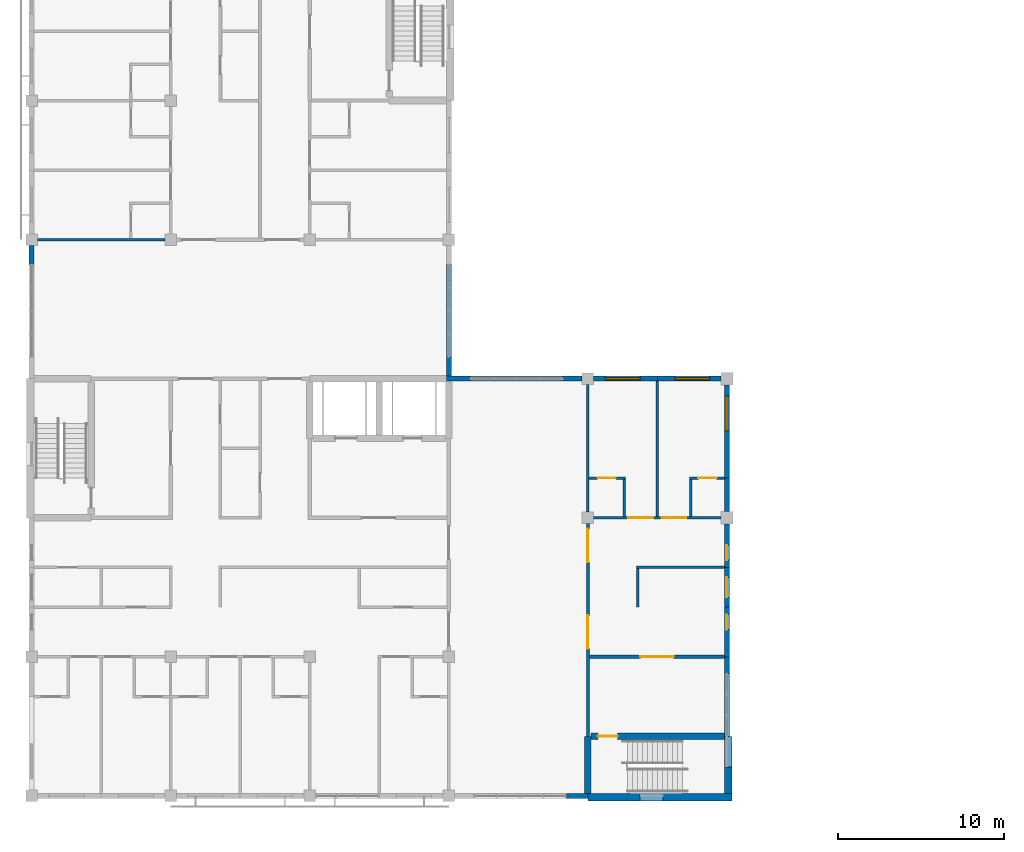
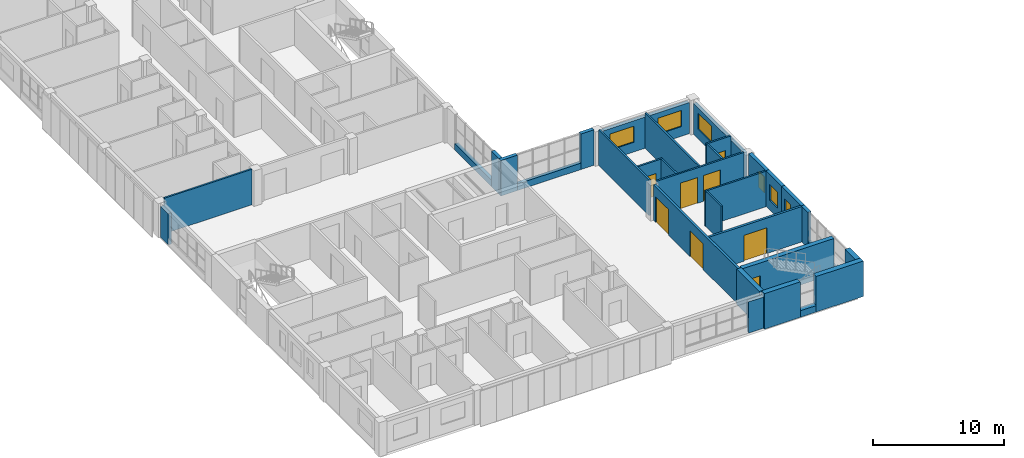
# One storey, part 28 of 48: 35 walls, 8 doors, 6 windows, 14 openings.
"""IFC4 building model written with IfcOpenShell, lengths in metres."""

from ifc_helpers import new_model, si_unit, direction, frame, frame_2d, origin, place, context, subcontext, project, spatial, rectangle, extrude, material, layer, layer_set, type_object, element, fill, save


model = new_model("IFC4")

# Units and contexts
model_context = context("Model", 3, precision=1e-05, world=origin(), true_north=direction((0.0, 1.0)))
body_context = subcontext(model_context, "Body", "Model", "MODEL_VIEW")
ifc_project = project(units=[si_unit("LENGTHUNIT", "METRE"), si_unit("AREAUNIT", "SQUARE_METRE"), si_unit("VOLUMEUNIT", "CUBIC_METRE"), si_unit("PLANEANGLEUNIT", "RADIAN"), si_unit("MASSUNIT", "GRAM", prefix="KILO")], contexts=[model_context])

# Site, building, storey
site_placement = place(None, origin())
site = spatial("IfcSite", under=ifc_project, at=site_placement, CompositionType="ELEMENT")
building_placement = place(site_placement, origin())
building = spatial("IfcBuilding", under=site, at=building_placement, Name="Yavir Park General Hospital", CompositionType="ELEMENT")
storey_placement = place(building_placement, frame((0.0, 0.0, 26.10009765625)))
storey = spatial("IfcBuildingStorey", under=building, at=storey_placement, Name="L06", CompositionType="ELEMENT", Elevation=26.10009765625)

# Wall, opening, door
ifc_material_1 = material(Name="Double gypsum board fire partition on steel studs", Category="steel")
ifc_layer_1 = layer(ifc_material_1, 0.199951171875)
ifc_layer_set_1 = layer_set([ifc_layer_1], Name="Double gypsum board fire partition on steel studs")
wall_type_1 = type_object("IfcWallType", Name="Fire-rated partition 200, EI 60", PredefinedType="PARTITIONING", material=ifc_layer_set_1)
wall_1_placement = place(storey_placement, frame((33.699951171875, 8.39990234375, 0.0), z_axis=(0.0, 0.0, 1.0), x_axis=(1.0, 0.0, 0.0)))
wall_1 = element("IfcWall", 1, at=wall_1_placement, inside=storey, type_object=wall_type_1, Name="FP20 L06-017", PredefinedType="PARTITIONING", context=body_context, shape_type="SweptSolid", body=[
    extrude(rectangle(XDim=8.150146484375, YDim=0.199951171875, at=frame_2d((4.0751953125, 0.0))), origin(), (0.0, 0.0, 1.0), 3.2998046875),
])
opening_1_placement = place(wall_1_placement, frame((3.074951171875, 0.0, 0.0)))
opening_1 = element("IfcOpeningElement", 2, at=opening_1_placement, cuts=wall_1, Name="Opening L06.D024", PredefinedType="OPENING", context=body_context, shape_type="SweptSolid", body=[
    extrude(rectangle(XDim=2.0, YDim=2.39990234375, at=frame_2d((1.0, 1.199951171875))), frame((0.0, 0.10986328125, 0.0), z_axis=(0.0, -1.0, 0.0), x_axis=(1.0, 0.0, 0.0)), (0.0, 0.0, 1.0), 0.219970703125),
])
ifc_material_2 = material(Name="Steel frame, fire-resisting leaves with vision panels", Category="steel")
door_type_1 = type_object("IfcDoorType", Name="Double fire door with vision panels 2000 x 2400, EI 60", OperationType="DOUBLE_DOOR_SINGLE_SWING", PredefinedType="DOOR", material=ifc_material_2)
door_1_placement = place(opening_1_placement, origin())
door_1 = element("IfcDoor", 3, at=door_1_placement, inside=storey, type_object=door_type_1, Name="L06.D024", OperationType="SINGLE_SWING_RIGHT", OverallHeight=2.39990234375, OverallWidth=2.0, PredefinedType="DOOR", context=body_context, shape_type="SweptSolid", body=[
    extrude(rectangle(XDim=2.0, YDim=2.39990234375, at=frame_2d((1.0, 1.199951171875))), frame((0.0, 0.030029296875, 0.0), z_axis=(0.0, -1.0, 0.0), x_axis=(1.0, 0.0, 0.0)), (0.0, 0.0, 1.0), 0.06005859375),
])
fill(opening_1, door_1)

# Wall, openings, doors
wall_2_placement = place(storey_placement, frame((33.60009765625, 3.60009765625, 0.0), z_axis=(0.0, 0.0, 1.0), x_axis=(0.0, 1.0, 0.0)))
wall_2 = element("IfcWall", 4, at=wall_2_placement, inside=storey, type_object=wall_type_1, Name="FP20 L06-203", PredefinedType="PARTITIONING", context=body_context, shape_type="SweptSolid", body=[
    extrude(rectangle(XDim=12.849853515625, YDim=0.199951171875, at=frame_2d((6.4248046875, 0.0))), origin(), (0.0, 0.0, 1.0), 3.2998046875),
])
opening_2_placement = place(wall_2_placement, frame((5.300048828125, 0.0, 0.0)))
opening_2 = element("IfcOpeningElement", 5, at=opening_2_placement, cuts=wall_2, Name="Opening L06.D138", PredefinedType="OPENING", context=body_context, shape_type="SweptSolid", body=[
    extrude(rectangle(XDim=2.0, YDim=2.39990234375, at=frame_2d((1.0, 1.199951171875))), frame((0.0, 0.10986328125, 0.0), z_axis=(0.0, -1.0, 0.0), x_axis=(1.0, 0.0, 0.0)), (0.0, 0.0, 1.0), 0.219970703125),
])
opening_3_placement = place(wall_2_placement, frame((10.52490234375, 0.0, 0.0)))
opening_3 = element("IfcOpeningElement", 6, at=opening_3_placement, cuts=wall_2, Name="Opening L06.D139", PredefinedType="OPENING", context=body_context, shape_type="SweptSolid", body=[
    extrude(rectangle(XDim=2.0, YDim=2.39990234375, at=frame_2d((1.0, 1.199951171875))), frame((0.0, 0.10986328125, 0.0), z_axis=(0.0, -1.0, 0.0), x_axis=(1.0, 0.0, 0.0)), (0.0, 0.0, 1.0), 0.219970703125),
])
door_2_placement = place(opening_2_placement, origin())
door_2 = element("IfcDoor", 7, at=door_2_placement, inside=storey, type_object=door_type_1, Name="L06.D138", OperationType="SINGLE_SWING_LEFT", OverallHeight=2.39990234375, OverallWidth=2.0, PredefinedType="DOOR", context=body_context, shape_type="SweptSolid", body=[
    extrude(rectangle(XDim=2.0, YDim=2.39990234375, at=frame_2d((1.0, 1.199951171875))), frame((0.0, 0.030029296875, 0.0), z_axis=(0.0, -1.0, 0.0), x_axis=(1.0, 0.0, 0.0)), (0.0, 0.0, 1.0), 0.06005859375),
])
fill(opening_2, door_2)
door_3_placement = place(opening_3_placement, origin())
door_3 = element("IfcDoor", 8, at=door_3_placement, inside=storey, type_object=door_type_1, Name="L06.D139", OperationType="SINGLE_SWING_LEFT", OverallHeight=2.39990234375, OverallWidth=2.0, PredefinedType="DOOR", context=body_context, shape_type="SweptSolid", body=[
    extrude(rectangle(XDim=2.0, YDim=2.39990234375, at=frame_2d((1.0, 1.199951171875))), frame((0.0, 0.030029296875, 0.0), z_axis=(0.0, -1.0, 0.0), x_axis=(1.0, 0.0, 0.0)), (0.0, 0.0, 1.0), 0.06005859375),
])
fill(opening_3, door_3)

# Wall
ifc_material_3 = material(Name="Gypsum board partition on steel studs", Category="steel")
ifc_layer_2 = layer(ifc_material_3, 0.14990234375)
ifc_layer_set_2 = layer_set([ifc_layer_2], Name="Gypsum board partition on steel studs")
wall_type_2 = type_object("IfcWallType", Name="Gypsum board partition 150", PredefinedType="PARTITIONING", material=ifc_layer_set_2)
wall_3_placement = place(storey_placement, frame((36.52490234375, 13.800048828125, 0.0), z_axis=(0.0, 0.0, 1.0), x_axis=(1.0, 0.0, 0.0)))
element("IfcWall", 9, at=wall_3_placement, inside=storey, type_object=wall_type_2, Name="P15 L06-032", PredefinedType="PARTITIONING", context=body_context, shape_type="SweptSolid", body=[
    extrude(rectangle(XDim=5.3251953125, YDim=0.14990234375, at=frame_2d((2.66259765625, 0.0))), origin(), (0.0, 0.0, 1.0), 3.2998046875),
])

# Wall, openings, doors
wall_4_placement = place(storey_placement, frame((33.949951171875, 16.800048828125, 0.0), z_axis=(0.0, 0.0, 1.0), x_axis=(1.0, 0.0, 0.0)))
wall_4 = element("IfcWall", 10, at=wall_4_placement, inside=storey, type_object=wall_type_2, Name="P15 L06-041", PredefinedType="PARTITIONING", context=body_context, shape_type="SweptSolid", body=[
    extrude(rectangle(XDim=7.675048828125, YDim=0.14990234375, at=frame_2d((3.83740234375, 0.0))), origin(), (0.0, 0.0, 1.0), 3.2998046875),
])
opening_4_placement = place(wall_4_placement, frame((2.10009765625, 0.0, 0.0)))
opening_4 = element("IfcOpeningElement", 11, at=opening_4_placement, cuts=wall_4, Name="Opening L06.D043", PredefinedType="OPENING", context=body_context, shape_type="SweptSolid", body=[
    extrude(rectangle(XDim=1.5, YDim=2.39990234375, at=frame_2d((0.75, 1.199951171875))), frame((0.0, 0.0849609375, 0.0), z_axis=(0.0, -1.0, 0.0), x_axis=(1.0, 0.0, 0.0)), (0.0, 0.0, 1.0), 0.169921875),
])
opening_5_placement = place(wall_4_placement, frame((4.10009765625, 0.0, 0.0)))
opening_5 = element("IfcOpeningElement", 12, at=opening_5_placement, cuts=wall_4, Name="Opening L06.D044", PredefinedType="OPENING", context=body_context, shape_type="SweptSolid", body=[
    extrude(rectangle(XDim=1.5, YDim=2.39990234375, at=frame_2d((0.75, 1.199951171875))), frame((0.0, 0.0849609375, 0.0), z_axis=(0.0, -1.0, 0.0), x_axis=(1.0, 0.0, 0.0)), (0.0, 0.0, 1.0), 0.169921875),
])
ifc_material_4 = material(Name="Solid-core timber leaves, push plates, kick plates", Category="wood")
door_type_2 = type_object("IfcDoorType", Name="Bed door, unequal leaves 1500 x 2400", OperationType="DOUBLE_DOOR_SINGLE_SWING", PredefinedType="DOOR", material=ifc_material_4)
door_4_placement = place(opening_4_placement, origin())
door_4 = element("IfcDoor", 13, at=door_4_placement, inside=storey, type_object=door_type_2, Name="L06.D043", OperationType="SINGLE_SWING_RIGHT", OverallHeight=2.39990234375, OverallWidth=1.5, PredefinedType="DOOR", context=body_context, shape_type="SweptSolid", body=[
    extrude(rectangle(XDim=1.5, YDim=2.39990234375, at=frame_2d((0.75, 1.199951171875))), frame((0.0, 0.030029296875, 0.0), z_axis=(0.0, -1.0, 0.0), x_axis=(1.0, 0.0, 0.0)), (0.0, 0.0, 1.0), 0.06005859375),
])
fill(opening_4, door_4)
door_5_placement = place(opening_5_placement, origin())
door_5 = element("IfcDoor", 14, at=door_5_placement, inside=storey, type_object=door_type_2, Name="L06.D044", OperationType="SINGLE_SWING_RIGHT", OverallHeight=2.39990234375, OverallWidth=1.5, PredefinedType="DOOR", context=body_context, shape_type="SweptSolid", body=[
    extrude(rectangle(XDim=1.5, YDim=2.39990234375, at=frame_2d((0.75, 1.199951171875))), frame((0.0, 0.030029296875, 0.0), z_axis=(0.0, -1.0, 0.0), x_axis=(1.0, 0.0, 0.0)), (0.0, 0.0, 1.0), 0.06005859375),
])
fill(opening_5, door_5)

# Wall, opening, door
wall_5_placement = place(storey_placement, frame((33.675048828125, 19.199951171875, 0.0), z_axis=(0.0, 0.0, 1.0), x_axis=(1.0, 0.0, 0.0)))
wall_5 = element("IfcWall", 15, at=wall_5_placement, inside=storey, type_object=wall_type_2, Name="P15 L06-048", PredefinedType="PARTITIONING", context=body_context, shape_type="SweptSolid", body=[
    extrude(rectangle(XDim=2.199951171875, YDim=0.14990234375, at=frame_2d((1.10009765625, 0.0))), origin(), (0.0, 0.0, 1.0), 3.2998046875),
])
opening_6_placement = place(wall_5_placement, frame((0.512451171875, 0.0, 0.0)))
opening_6 = element("IfcOpeningElement", 16, at=opening_6_placement, cuts=wall_5, Name="Opening L06.D052", PredefinedType="OPENING", context=body_context, shape_type="SweptSolid", body=[
    extrude(rectangle(XDim=1.10009765625, YDim=2.10009765625, at=frame_2d((0.550048828125, 1.050048828125))), frame((0.0, 0.0849609375, 0.0), z_axis=(0.0, -1.0, 0.0), x_axis=(1.0, 0.0, 0.0)), (0.0, 0.0, 1.0), 0.169921875),
])
ifc_material_5 = material(Name="Hollow metal frame, solid-core timber leaf", Category="wood")
door_type_3 = type_object("IfcDoorType", Name="Single swing door 1100 x 2100", OperationType="SINGLE_SWING_LEFT", PredefinedType="DOOR", material=ifc_material_5)
door_6_placement = place(opening_6_placement, origin())
door_6 = element("IfcDoor", 17, at=door_6_placement, inside=storey, type_object=door_type_3, Name="L06.D052", OperationType="SINGLE_SWING_RIGHT", OverallHeight=2.10009765625, OverallWidth=1.10009765625, PredefinedType="DOOR", context=body_context, shape_type="SweptSolid", body=[
    extrude(rectangle(XDim=1.10009765625, YDim=2.10009765625, at=frame_2d((0.550048828125, 1.050048828125))), frame((0.0, 0.02490234375, 0.0), z_axis=(0.0, -1.0, 0.0), x_axis=(1.0, 0.0, 0.0)), (0.0, 0.0, 1.0), 0.050048828125),
])
fill(opening_6, door_6)

wall_6_placement = place(storey_placement, frame((39.72509765625, 19.199951171875, 0.0), z_axis=(0.0, 0.0, 1.0), x_axis=(1.0, 0.0, 0.0)))
wall_6 = element("IfcWall", 18, at=wall_6_placement, inside=storey, type_object=wall_type_2, Name="P15 L06-049", PredefinedType="PARTITIONING", context=body_context, shape_type="SweptSolid", body=[
    extrude(rectangle(XDim=2.125, YDim=0.14990234375, at=frame_2d((1.0625, 0.0))), origin(), (0.0, 0.0, 1.0), 3.2998046875),
])
opening_7_placement = place(wall_6_placement, frame((0.550048828125, 0.0, 0.0)))
opening_7 = element("IfcOpeningElement", 19, at=opening_7_placement, cuts=wall_6, Name="Opening L06.D053", PredefinedType="OPENING", context=body_context, shape_type="SweptSolid", body=[
    extrude(rectangle(XDim=1.10009765625, YDim=2.10009765625, at=frame_2d((0.550048828125, 1.050048828125))), frame((0.0, 0.0849609375, 0.0), z_axis=(0.0, -1.0, 0.0), x_axis=(1.0, 0.0, 0.0)), (0.0, 0.0, 1.0), 0.169921875),
])
door_7_placement = place(opening_7_placement, origin())
door_7 = element("IfcDoor", 20, at=door_7_placement, inside=storey, type_object=door_type_3, Name="L06.D053", OperationType="SINGLE_SWING_LEFT", OverallHeight=2.10009765625, OverallWidth=1.10009765625, PredefinedType="DOOR", context=body_context, shape_type="SweptSolid", body=[
    extrude(rectangle(XDim=1.10009765625, YDim=2.10009765625, at=frame_2d((0.550048828125, 1.050048828125))), frame((0.0, 0.02490234375, 0.0), z_axis=(0.0, -1.0, 0.0), x_axis=(1.0, 0.0, 0.0)), (0.0, 0.0, 1.0), 0.050048828125),
])
fill(opening_7, door_7)

# Walls
wall_7_placement = place(storey_placement, frame((0.35009765625, 33.60009765625, 0.0), z_axis=(0.0, 0.0, 1.0), x_axis=(1.0, 0.0, 0.0)))
element("IfcWall", 21, at=wall_7_placement, inside=storey, type_object=wall_type_2, Name="P15 L06-059", PredefinedType="PARTITIONING", context=body_context, shape_type="SweptSolid", body=[
    extrude(rectangle(XDim=7.699951171875, YDim=0.14990234375, at=frame_2d((3.85009765625, 0.0))), origin(), (0.0, 0.0, 1.0), 3.2998046875),
])
wall_8_placement = place(storey_placement, frame((33.60009765625, 17.14990234375, 0.0), z_axis=(0.0, 0.0, 1.0), x_axis=(0.0, 1.0, 0.0)))
element("IfcWall", 22, at=wall_8_placement, inside=storey, type_object=wall_type_2, Name="P15 L06-204", PredefinedType="PARTITIONING", context=body_context, shape_type="SweptSolid", body=[
    extrude(rectangle(XDim=7.7001953125, YDim=0.14990234375, at=frame_2d((3.85009765625, 0.0))), origin(), (0.0, 0.0, 1.0), 3.2998046875),
])
wall_9_placement = place(storey_placement, frame((35.800048828125, 16.875, 0.0), z_axis=(0.0, 0.0, 1.0), x_axis=(0.0, 1.0, 0.0)))
element("IfcWall", 23, at=wall_9_placement, inside=storey, type_object=wall_type_2, Name="P15 L06-205", PredefinedType="PARTITIONING", context=body_context, shape_type="SweptSolid", body=[
    extrude(rectangle(XDim=2.25, YDim=0.14990234375, at=frame_2d((1.125, 0.0))), origin(), (0.0, 0.0, 1.0), 3.2998046875),
])
wall_10_placement = place(storey_placement, frame((36.60009765625, 11.39990234375, 0.0), z_axis=(0.0, 0.0, 1.0), x_axis=(0.0, 1.0, 0.0)))
element("IfcWall", 24, at=wall_10_placement, inside=storey, type_object=wall_type_2, Name="P15 L06-206", PredefinedType="PARTITIONING", context=body_context, shape_type="SweptSolid", body=[
    extrude(rectangle(XDim=2.3251953125, YDim=0.14990234375, at=frame_2d((1.16259765625, 0.0))), origin(), (0.0, 0.0, 1.0), 3.2998046875),
])
wall_11_placement = place(storey_placement, frame((37.800048828125, 16.875, 0.0), z_axis=(0.0, 0.0, 1.0), x_axis=(0.0, 1.0, 0.0)))
element("IfcWall", 25, at=wall_11_placement, inside=storey, type_object=wall_type_2, Name="P15 L06-207", PredefinedType="PARTITIONING", context=body_context, shape_type="SweptSolid", body=[
    extrude(rectangle(XDim=8.175048828125, YDim=0.14990234375, at=frame_2d((4.08740234375, 0.0))), origin(), (0.0, 0.0, 1.0), 3.2998046875),
])
wall_12_placement = place(storey_placement, frame((39.800048828125, 16.875, 0.0), z_axis=(0.0, 0.0, 1.0), x_axis=(0.0, 1.0, 0.0)))
element("IfcWall", 26, at=wall_12_placement, inside=storey, type_object=wall_type_2, Name="P15 L06-208", PredefinedType="PARTITIONING", context=body_context, shape_type="SweptSolid", body=[
    extrude(rectangle(XDim=2.25, YDim=0.14990234375, at=frame_2d((1.125, 0.0))), origin(), (0.0, 0.0, 1.0), 3.2998046875),
])
ifc_material_6 = material(Name="Autoclaved aerated block, mineral wool and ochre mineral render")
ifc_layer_3 = layer(ifc_material_6, 0.300048828125)
ifc_layer_set_3 = layer_set([ifc_layer_3], Name="Autoclaved aerated block, mineral wool and ochre mineral render")
wall_type_3 = type_object("IfcWallType", Name="Ochre render ward wall 300, E 30", PredefinedType="SOLIDWALL", material=ifc_layer_set_3)
wall_13_placement = place(storey_placement, frame((32.300048828125, 0.0, 0.0), z_axis=(0.0, 0.0, 1.0), x_axis=(1.0, 0.0, 0.0)))
element("IfcWall", 27, at=wall_13_placement, inside=storey, type_object=wall_type_3, Name="XW7 L06-008", PredefinedType="SOLIDWALL", context=body_context, shape_type="SweptSolid", body=[
    extrude(rectangle(XDim=1.300048828125, YDim=0.300048828125, at=frame_2d((0.64990234375, 0.0))), origin(), (0.0, 0.0, 1.0), 2.89990234375),
])
wall_14_placement = place(storey_placement, frame((25.050048828125, 25.199951171875, 0.0), z_axis=(0.0, 0.0, 1.0), x_axis=(1.0, 0.0, 0.0)))
element("IfcWall", 28, at=wall_14_placement, inside=storey, type_object=wall_type_3, Name="XW7 L06-033", PredefinedType="SOLIDWALL", context=body_context, shape_type="SweptSolid", body=[
    extrude(rectangle(XDim=1.449951171875, YDim=0.300048828125, at=frame_2d((0.72509765625, 0.0))), origin(), (0.0, 0.0, 1.0), 3.2998046875),
])
wall_15_placement = place(storey_placement, frame((32.10009765625, 25.199951171875, 0.0), z_axis=(0.0, 0.0, 1.0), x_axis=(1.0, 0.0, 0.0)))
element("IfcWall", 29, at=wall_15_placement, inside=storey, type_object=wall_type_3, Name="XW7 L06-034", PredefinedType="SOLIDWALL", context=body_context, shape_type="SweptSolid", body=[
    extrude(rectangle(XDim=1.14990234375, YDim=0.300048828125, at=frame_2d((0.574951171875, 0.0))), origin(), (0.0, 0.0, 1.0), 3.2998046875),
])
wall_16_placement = place(storey_placement, frame((26.5, 25.199951171875, 0.0), z_axis=(0.0, 0.0, 1.0), x_axis=(1.0, 0.0, 0.0)))
element("IfcWall", 30, at=wall_16_placement, inside=storey, type_object=wall_type_3, Name="XW7 L06-035", PredefinedType="SOLIDWALL", context=body_context, shape_type="SweptSolid", body=[
    extrude(rectangle(XDim=5.60009765625, YDim=0.300048828125, at=frame_2d((2.800048828125, 0.0))), origin(), (0.0, 0.0, 1.0), 0.599853515625),
])

# Wall, opening, window
wall_17_placement = place(storey_placement, frame((33.949951171875, 25.199951171875, 0.0), z_axis=(0.0, 0.0, 1.0), x_axis=(1.0, 0.0, 0.0)))
wall_17 = element("IfcWall", 31, at=wall_17_placement, inside=storey, type_object=wall_type_3, Name="XW7 L06-036", PredefinedType="SOLIDWALL", context=body_context, shape_type="SweptSolid", body=[
    extrude(rectangle(XDim=3.85009765625, YDim=0.300048828125, at=frame_2d((1.925048828125, 0.0))), origin(), (0.0, 0.0, 1.0), 2.89990234375),
])
opening_8_placement = place(wall_17_placement, frame((0.699951171875, 0.0, 0.89990234375)))
opening_8 = element("IfcOpeningElement", 32, at=opening_8_placement, cuts=wall_17, Name="Opening WAR", PredefinedType="OPENING", context=body_context, shape_type="SweptSolid", body=[
    extrude(rectangle(XDim=2.10009765625, YDim=1.5, at=frame_2d((1.050048828125, 0.75))), frame((0.0, 0.159912109375, 0.0), z_axis=(0.0, -1.0, 0.0), x_axis=(1.0, 0.0, 0.0)), (0.0, 0.0, 1.0), 0.320068359375),
])
ifc_material_7 = material(Name="Aluminium frame, tilt-and-turn sash with opening restrictor, double glazed unit", Category="aluminium")
window_type_1 = type_object("IfcWindowType", Name="Ward window, restricted opening 2100 x 1500", PartitioningType="DOUBLE_PANEL_VERTICAL", PredefinedType="WINDOW", material=ifc_material_7)
window_1_placement = place(opening_8_placement, origin())
window_1 = element("IfcWindow", 33, at=window_1_placement, inside=storey, type_object=window_type_1, Name="WAR L06-012", OverallHeight=1.5, OverallWidth=2.10009765625, PartitioningType="DOUBLE_PANEL_VERTICAL", PredefinedType="WINDOW", context=body_context, shape_type="SweptSolid", body=[
    extrude(rectangle(XDim=2.10009765625, YDim=1.5, at=frame_2d((1.050048828125, 0.75))), frame((0.0, 0.050048828125, 0.0), z_axis=(0.0, -1.0, 0.0), x_axis=(1.0, 0.0, 0.0)), (0.0, 0.0, 1.0), 0.10009765625),
])
fill(opening_8, window_1)

wall_18_placement = place(storey_placement, frame((37.800048828125, 25.199951171875, 0.0), z_axis=(0.0, 0.0, 1.0), x_axis=(1.0, 0.0, 0.0)))
wall_18 = element("IfcWall", 34, at=wall_18_placement, inside=storey, type_object=wall_type_3, Name="XW7 L06-037", PredefinedType="SOLIDWALL", context=body_context, shape_type="SweptSolid", body=[
    extrude(rectangle(XDim=3.824951171875, YDim=0.300048828125, at=frame_2d((1.91259765625, 0.0))), origin(), (0.0, 0.0, 1.0), 2.89990234375),
])
opening_9_placement = place(wall_18_placement, frame((1.050048828125, 0.0, 0.89990234375)))
opening_9 = element("IfcOpeningElement", 35, at=opening_9_placement, cuts=wall_18, Name="Opening WAR", PredefinedType="OPENING", context=body_context, shape_type="SweptSolid", body=[
    extrude(rectangle(XDim=2.10009765625, YDim=1.5, at=frame_2d((1.050048828125, 0.75))), frame((0.0, 0.159912109375, 0.0), z_axis=(0.0, -1.0, 0.0), x_axis=(1.0, 0.0, 0.0)), (0.0, 0.0, 1.0), 0.320068359375),
])
window_2_placement = place(opening_9_placement, origin())
window_2 = element("IfcWindow", 36, at=window_2_placement, inside=storey, type_object=window_type_1, Name="WAR L06-013", OverallHeight=1.5, OverallWidth=2.10009765625, PartitioningType="DOUBLE_PANEL_VERTICAL", PredefinedType="WINDOW", context=body_context, shape_type="SweptSolid", body=[
    extrude(rectangle(XDim=2.10009765625, YDim=1.5, at=frame_2d((1.050048828125, 0.75))), frame((0.0, 0.050048828125, 0.0), z_axis=(0.0, -1.0, 0.0), x_axis=(1.0, 0.0, 0.0)), (0.0, 0.0, 1.0), 0.10009765625),
])
fill(opening_9, window_2)

# Walls
wall_19_placement = place(storey_placement, frame((0.0, 32.10009765625, 0.0), z_axis=(0.0, 0.0, 1.0), x_axis=(0.0, 1.0, 0.0)))
element("IfcWall", 37, at=wall_19_placement, inside=storey, type_object=wall_type_3, Name="XW7 L06-078", PredefinedType="SOLIDWALL", context=body_context, shape_type="SweptSolid", body=[
    extrude(rectangle(XDim=1.14990234375, YDim=0.300048828125, at=frame_2d((0.574951171875, 0.0))), origin(), (0.0, 0.0, 1.0), 2.89990234375),
])
wall_20_placement = place(storey_placement, frame((25.199951171875, 25.35009765625, 0.0), z_axis=(0.0, 0.0, 1.0), x_axis=(0.0, 1.0, 0.0)))
element("IfcWall", 38, at=wall_20_placement, inside=storey, type_object=wall_type_3, Name="XW7 L06-099", PredefinedType="SOLIDWALL", context=body_context, shape_type="SweptSolid", body=[
    extrude(rectangle(XDim=1.14990234375, YDim=0.300048828125, at=frame_2d((0.574951171875, 0.0))), origin(), (0.0, 0.0, 1.0), 3.2998046875),
])
wall_21_placement = place(storey_placement, frame((25.199951171875, 26.5, 0.0), z_axis=(0.0, 0.0, 1.0), x_axis=(0.0, 1.0, 0.0)))
element("IfcWall", 39, at=wall_21_placement, inside=storey, type_object=wall_type_3, Name="XW7 L06-101", PredefinedType="SOLIDWALL", context=body_context, shape_type="SweptSolid", body=[
    extrude(rectangle(XDim=5.60009765625, YDim=0.300048828125, at=frame_2d((2.800048828125, 0.0))), origin(), (0.0, 0.0, 1.0), 0.599853515625),
])
wall_22_placement = place(storey_placement, frame((42.0, 7.39990234375, 0.0), z_axis=(0.0, 0.0, 1.0), x_axis=(0.0, 1.0, 0.0)))
element("IfcWall", 40, at=wall_22_placement, inside=storey, type_object=wall_type_3, Name="XW7 L06-128", PredefinedType="SOLIDWALL", context=body_context, shape_type="SweptSolid", body=[
    extrude(rectangle(XDim=1.0, YDim=0.300048828125, at=frame_2d((0.5, 0.0))), origin(), (0.0, 0.0, 1.0), 3.2998046875),
])
wall_23_placement = place(storey_placement, frame((42.0, 3.60009765625, 0.0), z_axis=(0.0, 0.0, 1.0), x_axis=(0.0, 1.0, 0.0)))
element("IfcWall", 41, at=wall_23_placement, inside=storey, type_object=wall_type_3, Name="XW7 L06-129", PredefinedType="SOLIDWALL", context=body_context, shape_type="SweptSolid", body=[
    extrude(rectangle(XDim=3.7998046875, YDim=0.300048828125, at=frame_2d((1.89990234375, 0.0))), origin(), (0.0, 0.0, 1.0), 0.599853515625),
])

# Wall, opening, window
wall_24_placement = place(storey_placement, frame((42.0, 8.39990234375, 0.0), z_axis=(0.0, 0.0, 1.0), x_axis=(0.0, 1.0, 0.0)))
wall_24 = element("IfcWall", 42, at=wall_24_placement, inside=storey, type_object=wall_type_3, Name="XW7 L06-130", PredefinedType="SOLIDWALL", context=body_context, shape_type="SweptSolid", body=[
    extrude(rectangle(XDim=3.0, YDim=0.300048828125, at=frame_2d((1.5, 0.0))), origin(), (0.0, 0.0, 1.0), 3.2998046875),
])
opening_10_placement = place(wall_24_placement, frame((1.64990234375, 0.0, 0.89990234375)))
opening_10 = element("IfcOpeningElement", 43, at=opening_10_placement, cuts=wall_24, Name="Opening WH", PredefinedType="OPENING", context=body_context, shape_type="SweptSolid", body=[
    extrude(rectangle(XDim=0.89990234375, YDim=1.5, at=frame_2d((0.449951171875, 0.75))), frame((0.0, 0.159912109375, 0.0), z_axis=(0.0, -1.0, 0.0), x_axis=(1.0, 0.0, 0.0)), (0.0, 0.0, 1.0), 0.320068359375),
])
ifc_material_8 = material(Name="Aluminium frame, double glazed unit", Category="aluminium")
window_type_2 = type_object("IfcWindowType", Name="Narrow window 900 x 1500", PartitioningType="SINGLE_PANEL", PredefinedType="WINDOW", material=ifc_material_8)
window_3_placement = place(opening_10_placement, origin())
window_3 = element("IfcWindow", 44, at=window_3_placement, inside=storey, type_object=window_type_2, Name="WH L06-055", OverallHeight=1.5, OverallWidth=0.89990234375, PartitioningType="SINGLE_PANEL", PredefinedType="WINDOW", context=body_context, shape_type="SweptSolid", body=[
    extrude(rectangle(XDim=0.89990234375, YDim=1.5, at=frame_2d((0.449951171875, 0.75))), frame((0.0, 0.030029296875, 0.0), z_axis=(0.0, -1.0, 0.0), x_axis=(1.0, 0.0, 0.0)), (0.0, 0.0, 1.0), 0.06005859375),
])
fill(opening_10, window_3)

wall_25_placement = place(storey_placement, frame((42.0, 11.39990234375, 0.0), z_axis=(0.0, 0.0, 1.0), x_axis=(0.0, 1.0, 0.0)))
wall_25 = element("IfcWall", 45, at=wall_25_placement, inside=storey, type_object=wall_type_3, Name="XW7 L06-131", PredefinedType="SOLIDWALL", context=body_context, shape_type="SweptSolid", body=[
    extrude(rectangle(XDim=2.400146484375, YDim=0.300048828125, at=frame_2d((1.2001953125, 0.0))), origin(), (0.0, 0.0, 1.0), 3.2998046875),
])
opening_11_placement = place(wall_25_placement, frame((0.60009765625, 0.0, 0.89990234375)))
opening_11 = element("IfcOpeningElement", 46, at=opening_11_placement, cuts=wall_25, Name="Opening WD", PredefinedType="OPENING", context=body_context, shape_type="SweptSolid", body=[
    extrude(rectangle(XDim=1.199951171875, YDim=1.5, at=frame_2d((0.60009765625, 0.75))), frame((0.0, 0.159912109375, 0.0), z_axis=(0.0, -1.0, 0.0), x_axis=(1.0, 0.0, 0.0)), (0.0, 0.0, 1.0), 0.320068359375),
])
ifc_material_9 = material(Name="Aluminium frame, double glazed unit", Category="aluminium")
window_type_3 = type_object("IfcWindowType", Name="Office window 1200 x 1500", PartitioningType="SINGLE_PANEL", PredefinedType="WINDOW", material=ifc_material_9)
window_4_placement = place(opening_11_placement, origin())
window_4 = element("IfcWindow", 47, at=window_4_placement, inside=storey, type_object=window_type_3, Name="WD L06-056", OverallHeight=1.5, OverallWidth=1.199951171875, PartitioningType="SINGLE_PANEL", PredefinedType="WINDOW", context=body_context, shape_type="SweptSolid", body=[
    extrude(rectangle(XDim=1.199951171875, YDim=1.5, at=frame_2d((0.60009765625, 0.75))), frame((0.0, 0.030029296875, 0.0), z_axis=(0.0, -1.0, 0.0), x_axis=(1.0, 0.0, 0.0)), (0.0, 0.0, 1.0), 0.06005859375),
])
fill(opening_11, window_4)

wall_26_placement = place(storey_placement, frame((42.0, 13.800048828125, 0.0), z_axis=(0.0, 0.0, 1.0), x_axis=(0.0, 1.0, 0.0)))
wall_26 = element("IfcWall", 48, at=wall_26_placement, inside=storey, type_object=wall_type_3, Name="XW7 L06-132", PredefinedType="SOLIDWALL", context=body_context, shape_type="SweptSolid", body=[
    extrude(rectangle(XDim=2.625, YDim=0.300048828125, at=frame_2d((1.3125, 0.0))), origin(), (0.0, 0.0, 1.0), 3.2998046875),
])
opening_12_placement = place(wall_26_placement, frame((0.449951171875, 0.0, 0.89990234375)))
opening_12 = element("IfcOpeningElement", 49, at=opening_12_placement, cuts=wall_26, Name="Opening WH", PredefinedType="OPENING", context=body_context, shape_type="SweptSolid", body=[
    extrude(rectangle(XDim=0.89990234375, YDim=1.5, at=frame_2d((0.449951171875, 0.75))), frame((0.0, 0.159912109375, 0.0), z_axis=(0.0, -1.0, 0.0), x_axis=(1.0, 0.0, 0.0)), (0.0, 0.0, 1.0), 0.320068359375),
])
window_5_placement = place(opening_12_placement, origin())
window_5 = element("IfcWindow", 50, at=window_5_placement, inside=storey, type_object=window_type_2, Name="WH L06-057", OverallHeight=1.5, OverallWidth=0.89990234375, PartitioningType="SINGLE_PANEL", PredefinedType="WINDOW", context=body_context, shape_type="SweptSolid", body=[
    extrude(rectangle(XDim=0.89990234375, YDim=1.5, at=frame_2d((0.449951171875, 0.75))), frame((0.0, 0.030029296875, 0.0), z_axis=(0.0, -1.0, 0.0), x_axis=(1.0, 0.0, 0.0)), (0.0, 0.0, 1.0), 0.06005859375),
])
fill(opening_12, window_5)

# Wall
wall_27_placement = place(storey_placement, frame((42.0, 17.175048828125, 0.0), z_axis=(0.0, 0.0, 1.0), x_axis=(0.0, 1.0, 0.0)))
element("IfcWall", 51, at=wall_27_placement, inside=storey, type_object=wall_type_3, Name="XW7 L06-133", PredefinedType="SOLIDWALL", context=body_context, shape_type="SweptSolid", body=[
    extrude(rectangle(XDim=2.02490234375, YDim=0.300048828125, at=frame_2d((1.012451171875, 0.0))), origin(), (0.0, 0.0, 1.0), 2.89990234375),
])

# Wall, opening, window
wall_28_placement = place(storey_placement, frame((42.0, 19.199951171875, 0.0), z_axis=(0.0, 0.0, 1.0), x_axis=(0.0, 1.0, 0.0)))
wall_28 = element("IfcWall", 52, at=wall_28_placement, inside=storey, type_object=wall_type_3, Name="XW7 L06-134", PredefinedType="SOLIDWALL", context=body_context, shape_type="SweptSolid", body=[
    extrude(rectangle(XDim=5.625, YDim=0.300048828125, at=frame_2d((2.8125, 0.0))), origin(), (0.0, 0.0, 1.0), 2.89990234375),
])
opening_13_placement = place(wall_28_placement, frame((2.85009765625, 0.0, 0.89990234375)))
opening_13 = element("IfcOpeningElement", 53, at=opening_13_placement, cuts=wall_28, Name="Opening WAR", PredefinedType="OPENING", context=body_context, shape_type="SweptSolid", body=[
    extrude(rectangle(XDim=2.10009765625, YDim=1.5, at=frame_2d((1.050048828125, 0.75))), frame((0.0, 0.159912109375, 0.0), z_axis=(0.0, -1.0, 0.0), x_axis=(1.0, 0.0, 0.0)), (0.0, 0.0, 1.0), 0.320068359375),
])
window_6_placement = place(opening_13_placement, origin())
window_6 = element("IfcWindow", 54, at=window_6_placement, inside=storey, type_object=window_type_1, Name="WAR L06-058", OverallHeight=1.5, OverallWidth=2.10009765625, PartitioningType="DOUBLE_PANEL_VERTICAL", PredefinedType="WINDOW", context=body_context, shape_type="SweptSolid", body=[
    extrude(rectangle(XDim=2.10009765625, YDim=1.5, at=frame_2d((1.050048828125, 0.75))), frame((0.0, 0.050048828125, 0.0), z_axis=(0.0, -1.0, 0.0), x_axis=(1.0, 0.0, 0.0)), (0.0, 0.0, 1.0), 0.10009765625),
])
fill(opening_13, window_6)

# Wall, opening, door
ifc_material_10 = material(Name="Concrete C35/45", Category="concrete")
ifc_layer_4 = layer(ifc_material_10, 0.39990234375)
ifc_layer_set_4 = layer_set([ifc_layer_4], Name="Concrete C35/45")
wall_type_4 = type_object("IfcWallType", Name="Reinforced concrete core wall 400, REI 150", PredefinedType="SHEAR", material=ifc_layer_set_4)
wall_29_placement = place(storey_placement, frame((33.800048828125, 3.60009765625, 0.0), z_axis=(0.0, 0.0, 1.0), x_axis=(1.0, 0.0, 0.0)))
wall_29 = element("IfcWall", 55, at=wall_29_placement, inside=storey, type_object=wall_type_4, Name="CW40 L06-001", PredefinedType="SHEAR", context=body_context, shape_type="SweptSolid", body=[
    extrude(rectangle(XDim=8.050048828125, YDim=0.39990234375, at=frame_2d((4.02490234375, 0.0))), origin(), (0.0, 0.0, 1.0), 3.2998046875),
])
opening_14_placement = place(wall_29_placement, frame((0.39990234375, 0.0, 0.0)))
opening_14 = element("IfcOpeningElement", 56, at=opening_14_placement, cuts=wall_29, Name="Opening L06.D001", PredefinedType="OPENING", context=body_context, shape_type="SweptSolid", body=[
    extrude(rectangle(XDim=1.199951171875, YDim=2.10009765625, at=frame_2d((0.60009765625, 1.050048828125))), frame((0.0, 0.2099609375, 0.0), z_axis=(0.0, -1.0, 0.0), x_axis=(1.0, 0.0, 0.0)), (0.0, 0.0, 1.0), 0.419921875),
])
ifc_material_11 = material(Name="Steel frame, fire-resisting timber leaf", Category="steel")
door_type_4 = type_object("IfcDoorType", Name="Fire door 1200 x 2100, EI 60", OperationType="SINGLE_SWING_LEFT", PredefinedType="DOOR", material=ifc_material_11)
door_8_placement = place(opening_14_placement, origin())
door_8 = element("IfcDoor", 57, at=door_8_placement, inside=storey, type_object=door_type_4, Name="L06.D001", OperationType="SINGLE_SWING_LEFT", OverallHeight=2.10009765625, OverallWidth=1.199951171875, PredefinedType="DOOR", context=body_context, shape_type="SweptSolid", body=[
    extrude(rectangle(XDim=1.199951171875, YDim=2.10009765625, at=frame_2d((0.60009765625, 1.050048828125))), frame((0.0, 0.02490234375, 0.0), z_axis=(0.0, -1.0, 0.0), x_axis=(1.0, 0.0, 0.0)), (0.0, 0.0, 1.0), 0.050048828125),
])
fill(opening_14, door_8)

# Walls
wall_30_placement = place(storey_placement, frame((33.60009765625, 0.14990234375, 0.0), z_axis=(0.0, 0.0, 1.0), x_axis=(0.0, 1.0, 0.0)))
element("IfcWall", 58, at=wall_30_placement, inside=storey, type_object=wall_type_4, Name="CW40 L06-202", PredefinedType="SHEAR", context=body_context, shape_type="SweptSolid", body=[
    extrude(rectangle(XDim=3.4501953125, YDim=0.39990234375, at=frame_2d((1.72509765625, 0.0))), origin(), (0.0, 0.0, 1.0), 3.2998046875),
])
ifc_material_12 = material(Name="Concrete C30/37 precast panel with 150 mm mineral wool insulation", Category="concrete")
ifc_layer_5 = layer(ifc_material_12, 0.449951171875)
ifc_layer_set_5 = layer_set([ifc_layer_5], Name="Concrete C30/37 precast panel with 150 mm mineral wool insulation")
wall_type_5 = type_object("IfcWallType", Name="Stair enclosure wall 450, REI 150", PredefinedType="SOLIDWALL", material=ifc_layer_set_5)
wall_31_placement = place(storey_placement, frame((33.60009765625, -0.074951171875, 0.0), z_axis=(0.0, 0.0, 1.0), x_axis=(1.0, 0.0, 0.0)))
element("IfcWall", 59, at=wall_31_placement, inside=storey, type_object=wall_type_5, Name="XW6 L06-010", PredefinedType="SOLIDWALL", context=body_context, shape_type="SweptSolid", body=[
    extrude(rectangle(XDim=3.14990234375, YDim=0.449951171875, at=frame_2d((1.574951171875, 0.0))), origin(), (0.0, 0.0, 1.0), 3.2998046875),
])
wall_32_placement = place(storey_placement, frame((38.14990234375, -0.074951171875, 0.0), z_axis=(0.0, 0.0, 1.0), x_axis=(1.0, 0.0, 0.0)))
element("IfcWall", 60, at=wall_32_placement, inside=storey, type_object=wall_type_5, Name="XW6 L06-011", PredefinedType="SOLIDWALL", context=body_context, shape_type="SweptSolid", body=[
    extrude(rectangle(XDim=4.150146484375, YDim=0.449951171875, at=frame_2d((2.0751953125, 0.0))), origin(), (0.0, 0.0, 1.0), 3.2998046875),
])
wall_33_placement = place(storey_placement, frame((36.75, -0.074951171875, 0.0), z_axis=(0.0, 0.0, 1.0), x_axis=(1.0, 0.0, 0.0)))
element("IfcWall", 61, at=wall_33_placement, inside=storey, type_object=wall_type_5, Name="XW6 L06-012", PredefinedType="SOLIDWALL", context=body_context, shape_type="SweptSolid", body=[
    extrude(rectangle(XDim=1.39990234375, YDim=0.449951171875, at=frame_2d((0.699951171875, 0.0))), origin(), (0.0, 0.0, 1.0), 0.599853515625),
])
wall_34_placement = place(storey_placement, frame((42.074951171875, 0.14990234375, 0.0), z_axis=(0.0, 0.0, 1.0), x_axis=(0.0, 1.0, 0.0)))
element("IfcWall", 62, at=wall_34_placement, inside=storey, type_object=wall_type_5, Name="XW6 L06-126", PredefinedType="SOLIDWALL", context=body_context, shape_type="SweptSolid", body=[
    extrude(rectangle(XDim=1.60009765625, YDim=0.449951171875, at=frame_2d((0.800048828125, 0.0))), origin(), (0.0, 0.0, 1.0), 3.2998046875),
])
wall_35_placement = place(storey_placement, frame((42.074951171875, 1.75, 0.0), z_axis=(0.0, 0.0, 1.0), x_axis=(0.0, 1.0, 0.0)))
element("IfcWall", 63, at=wall_35_placement, inside=storey, type_object=wall_type_5, Name="XW6 L06-127", PredefinedType="SOLIDWALL", context=body_context, shape_type="SweptSolid", body=[
    extrude(rectangle(XDim=1.85009765625, YDim=0.449951171875, at=frame_2d((0.925048828125, 0.0))), origin(), (0.0, 0.0, 1.0), 0.599853515625),
])

save(model, "model.ifc")
